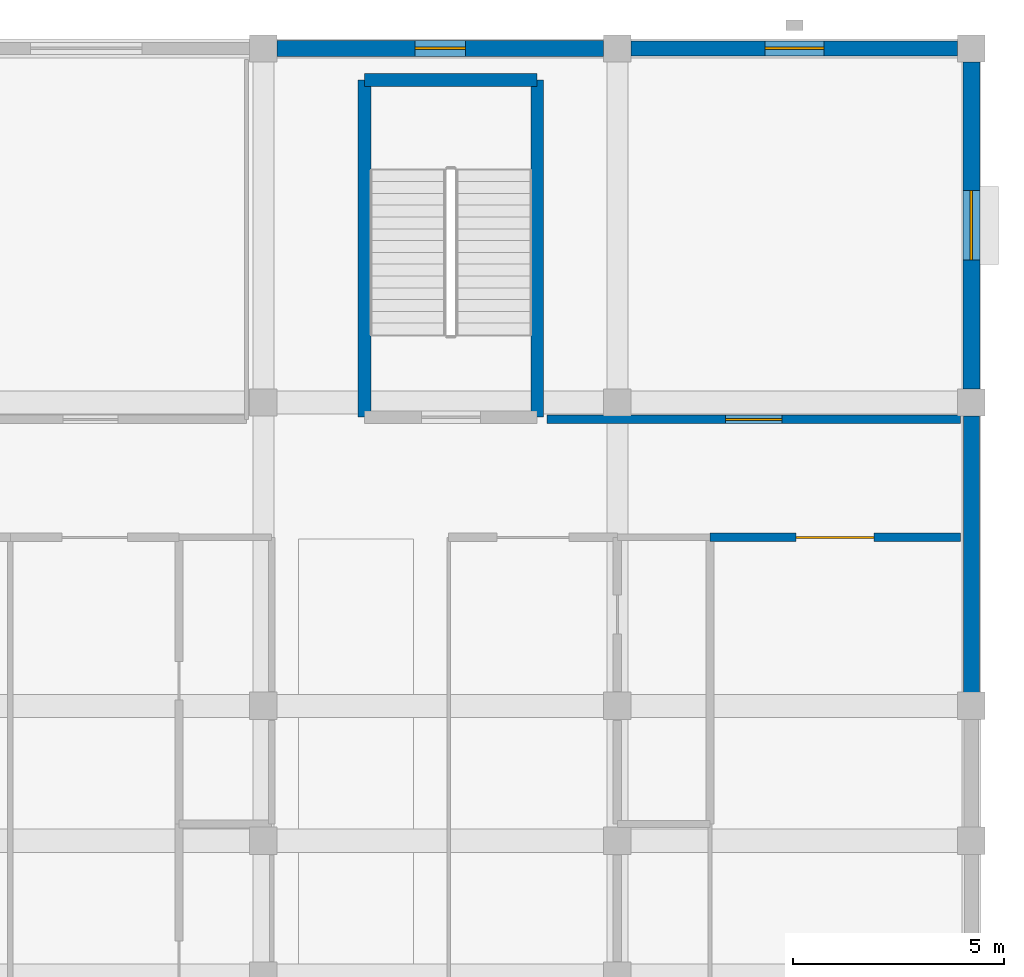
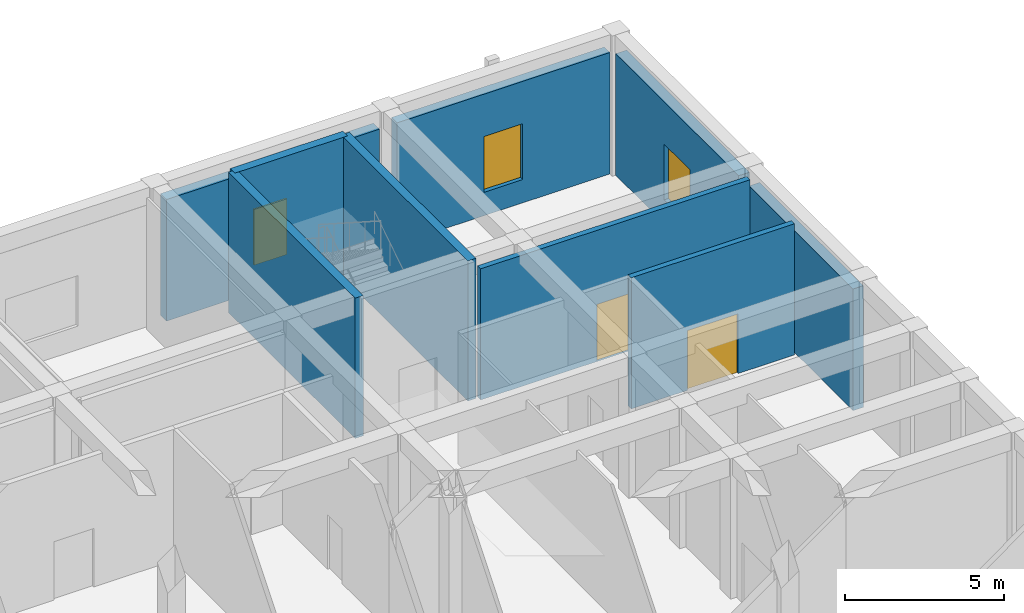
# One storey, part 96 of 157: 9 walls, 3 windows, 2 doors, 5 openings.
"""IFC4 building model written with IfcOpenShell, lengths in metres."""

from ifc_helpers import new_model, si_unit, direction, frame, frame_2d, origin, place, context, subcontext, project, spatial, rectangle, extrude, material, layer, layer_set, type_object, element, fill, save


model = new_model("IFC4")

# Units and contexts
model_context = context("Model", 3, precision=1e-05, world=origin(), true_north=direction((0.0, 1.0)))
body_context = subcontext(model_context, "Body", "Model", "MODEL_VIEW")
ifc_project = project(units=[si_unit("LENGTHUNIT", "METRE"), si_unit("AREAUNIT", "SQUARE_METRE"), si_unit("VOLUMEUNIT", "CUBIC_METRE"), si_unit("PLANEANGLEUNIT", "RADIAN"), si_unit("MASSUNIT", "GRAM", prefix="KILO")], contexts=[model_context])

# Site, building, storey
site_placement = place(None, origin())
site = spatial("IfcSite", under=ifc_project, at=site_placement, CompositionType="ELEMENT")
building_placement = place(site_placement, origin())
building = spatial("IfcBuilding", under=site, at=building_placement, Name="Varncliffe General Hospital", CompositionType="ELEMENT")
storey_placement = place(building_placement, frame((0.0, 0.0, 5.39990234375)))
storey = spatial("IfcBuildingStorey", under=building, at=storey_placement, Name="L01", CompositionType="ELEMENT", Elevation=5.39990234375)

# Wall, opening, window
ifc_material_1 = material(Name="Precast concrete C40/50 with insulated cream lime-cement stucco", Category="concrete")
ifc_layer_1 = layer(ifc_material_1, 0.3798828125)
ifc_layer_set_1 = layer_set([ifc_layer_1], Name="Precast concrete C40/50 with insulated cream lime-cement stucco")
wall_type_1 = type_object("IfcWallType", Name="Exterior Insulated Stucco Wall EW26 (380mm)", PredefinedType="SOLIDWALL", material=ifc_layer_set_1)
wall_1_placement = place(storey_placement, frame((159.923095703125, 124.800048828125, 0.0), z_axis=(0.0, 0.0, 1.0), x_axis=(1.0, 0.0, 0.0)))
wall_1 = element("IfcWall", 1, at=wall_1_placement, inside=storey, type_object=wall_type_1, Name="L01 Exterior Stucco Wall EW26-134", PredefinedType="SOLIDWALL", context=body_context, shape_type="SweptSolid", body=[
    extrude(rectangle(XDim=7.75390625, YDim=0.3798828125, at=frame_2d((3.876953125, 0.0))), origin(), (0.0, 0.0, 1.0), 4.68017578125),
])
opening_1_placement = place(wall_1_placement, frame((3.277099609375, 0.0, 0.89990234375)))
opening_1 = element("IfcOpeningElement", 2, at=opening_1_placement, cuts=wall_1, Name="Opening WN36", PredefinedType="OPENING", context=body_context, shape_type="SweptSolid", body=[
    extrude(rectangle(XDim=1.199951171875, YDim=2.14990234375, at=frame_2d((0.60009765625, 1.074951171875))), frame((0.0, 0.199951171875, 0.0), z_axis=(0.0, -1.0, 0.0), x_axis=(1.0, 0.0, 0.0)), (0.0, 0.0, 1.0), 0.39990234375),
])
ifc_material_2 = material(Name="Triple low-E argon insulated vision glazing", Category="glass")
window_type_1 = type_object("IfcWindowType", Name="Triple-Glazed Hospital Window WN36 (1200x2150)", PartitioningType="SINGLE_PANEL", PredefinedType="WINDOW", material=ifc_material_2)
window_1_placement = place(opening_1_placement, origin())
window_1 = element("IfcWindow", 3, at=window_1_placement, inside=storey, type_object=window_type_1, Name="L01 Hospital Window WN36-77", OverallHeight=2.14990234375, OverallWidth=1.199951171875, PartitioningType="SINGLE_PANEL", PredefinedType="WINDOW", context=body_context, shape_type="SweptSolid", body=[
    extrude(rectangle(XDim=1.199951171875, YDim=2.14990234375, at=frame_2d((0.60009765625, 1.074951171875))), frame((0.0, 0.030029296875, 0.0), z_axis=(0.0, -1.0, 0.0), x_axis=(1.0, 0.0, 0.0)), (0.0, 0.0, 1.0), 0.06005859375),
])
fill(opening_1, window_1)

# Wall
wall_2_placement = place(storey_placement, frame((176.39990234375, 116.076904296875, 0.0), z_axis=(0.0, 0.0, 1.0), x_axis=(0.0, -1.0, 0.0)))
element("IfcWall", 4, at=wall_2_placement, inside=storey, type_object=wall_type_1, Name="L01 Exterior Stucco Wall EW26-137", PredefinedType="SOLIDWALL", context=body_context, shape_type="SweptSolid", body=[
    extrude(rectangle(XDim=6.553955078125, YDim=0.3798828125, at=frame_2d((3.27685546875, 0.0))), origin(), (0.0, 0.0, 1.0), 4.68017578125),
])

# Wall, opening, window
ifc_layer_2 = layer(ifc_material_1, 0.35009765625)
ifc_layer_set_2 = layer_set([ifc_layer_2], Name="Precast concrete C40/50 with insulated cream lime-cement stucco")
wall_type_2 = type_object("IfcWallType", Name="Exterior Insulated Stucco Wall EW37 (350mm)", PredefinedType="SOLIDWALL", material=ifc_layer_set_2)
wall_3_placement = place(storey_placement, frame((168.322998046875, 124.800048828125, 0.0), z_axis=(0.0, 0.0, 1.0), x_axis=(1.0, 0.0, 0.0)))
wall_3 = element("IfcWall", 5, at=wall_3_placement, inside=storey, type_object=wall_type_2, Name="L01 Exterior Stucco Wall EW37-135", PredefinedType="SOLIDWALL", context=body_context, shape_type="SweptSolid", body=[
    extrude(rectangle(XDim=7.75390625, YDim=0.35009765625, at=frame_2d((3.876953125, 0.0))), origin(), (0.0, 0.0, 1.0), 4.68017578125),
])
opening_2_placement = place(wall_3_placement, frame((3.177001953125, 0.0, 0.89990234375)))
opening_2 = element("IfcOpeningElement", 6, at=opening_2_placement, cuts=wall_3, Name="Opening WN11", PredefinedType="OPENING", context=body_context, shape_type="SweptSolid", body=[
    extrude(rectangle(XDim=1.39990234375, YDim=2.14990234375, at=frame_2d((0.699951171875, 1.074951171875))), frame((0.0, 0.18505859375, 0.0), z_axis=(0.0, -1.0, 0.0), x_axis=(1.0, 0.0, 0.0)), (0.0, 0.0, 1.0), 0.3701171875),
])
window_type_2 = type_object("IfcWindowType", Name="Triple-Glazed Hospital Window WN11 (1400x2150)", PartitioningType="SINGLE_PANEL", PredefinedType="WINDOW", material=ifc_material_2)
window_2_placement = place(opening_2_placement, origin())
window_2 = element("IfcWindow", 7, at=window_2_placement, inside=storey, type_object=window_type_2, Name="L01 Hospital Window WN11-78", OverallHeight=2.14990234375, OverallWidth=1.39990234375, PartitioningType="SINGLE_PANEL", PredefinedType="WINDOW", context=body_context, shape_type="SweptSolid", body=[
    extrude(rectangle(XDim=1.39990234375, YDim=2.14990234375, at=frame_2d((0.699951171875, 1.074951171875))), frame((0.0, 0.030029296875, 0.0), z_axis=(0.0, -1.0, 0.0), x_axis=(1.0, 0.0, 0.0)), (0.0, 0.0, 1.0), 0.06005859375),
])
fill(opening_2, window_2)

ifc_layer_3 = layer(ifc_material_1, 0.39990234375)
ifc_layer_set_3 = layer_set([ifc_layer_3], Name="Precast concrete C40/50 with insulated cream lime-cement stucco")
wall_type_3 = type_object("IfcWallType", Name="Exterior Insulated Stucco Wall EW47 (400mm)", PredefinedType="SOLIDWALL", material=ifc_layer_set_3)
wall_4_placement = place(storey_placement, frame((176.39990234375, 124.47705078125, 0.0), z_axis=(0.0, 0.0, 1.0), x_axis=(0.0, -1.0, 0.0)))
wall_4 = element("IfcWall", 8, at=wall_4_placement, inside=storey, type_object=wall_type_3, Name="L01 Exterior Stucco Wall EW47-136", PredefinedType="SOLIDWALL", context=body_context, shape_type="SweptSolid", body=[
    extrude(rectangle(XDim=7.754150390625, YDim=0.39990234375, at=frame_2d((3.876953125, 0.0))), origin(), (0.0, 0.0, 1.0), 4.68017578125),
])
opening_3_placement = place(wall_4_placement, frame((3.052001953125, 0.0, 0.89990234375)))
opening_3 = element("IfcOpeningElement", 9, at=opening_3_placement, cuts=wall_4, Name="Opening WN42", PredefinedType="OPENING", context=body_context, shape_type="SweptSolid", body=[
    extrude(rectangle(XDim=1.64990234375, YDim=2.14990234375, at=frame_2d((0.824951171875, 1.074951171875))), frame((0.0, 0.2099609375, 0.0), z_axis=(0.0, -1.0, 0.0), x_axis=(1.0, 0.0, 0.0)), (0.0, 0.0, 1.0), 0.419921875),
])
window_type_3 = type_object("IfcWindowType", Name="Triple-Glazed Hospital Window WN42 (1650x2150)", PartitioningType="DOUBLE_PANEL_VERTICAL", PredefinedType="WINDOW", material=ifc_material_2)
window_3_placement = place(opening_3_placement, origin())
window_3 = element("IfcWindow", 10, at=window_3_placement, inside=storey, type_object=window_type_3, Name="L01 Hospital Window WN42-79", OverallHeight=2.14990234375, OverallWidth=1.64990234375, PartitioningType="DOUBLE_PANEL_VERTICAL", PredefinedType="WINDOW", context=body_context, shape_type="SweptSolid", body=[
    extrude(rectangle(XDim=1.64990234375, YDim=2.14990234375, at=frame_2d((0.824951171875, 1.074951171875))), frame((0.0, 0.030029296875, 0.0), z_axis=(0.0, -1.0, 0.0), x_axis=(1.0, 0.0, 0.0)), (0.0, 0.0, 1.0), 0.06005859375),
])
fill(opening_3, window_3)

# Wall, opening, door
ifc_material_3 = material(Name="Fire-rated gypsum and mineral-wool partition assembly", Category="gypsum")
ifc_layer_4 = layer(ifc_material_3, 0.199951171875)
ifc_layer_set_4 = layer_set([ifc_layer_4], Name="Fire-rated gypsum and mineral-wool partition assembly")
wall_type_4 = type_object("IfcWallType", Name="Interior Partitioning PW63 (200mm)", PredefinedType="PARTITIONING", material=ifc_layer_set_4)
wall_5_placement = place(storey_placement, frame((170.199951171875, 113.199951171875, 0.0), z_axis=(0.0, 0.0, 1.0), x_axis=(1.0, 0.0, 0.0)))
wall_5 = element("IfcWall", 11, at=wall_5_placement, inside=storey, type_object=wall_type_4, Name="L01 Interior Partition Wall PW63-640", PredefinedType="PARTITIONING", context=body_context, shape_type="SweptSolid", body=[
    extrude(rectangle(XDim=5.93994140625, YDim=0.199951171875, at=frame_2d((2.969970703125, 0.0))), origin(), (0.0, 0.0, 1.0), 5.050048828125),
])
opening_4_placement = place(wall_5_placement, frame((2.044921875, 0.0, 0.0)))
opening_4 = element("IfcOpeningElement", 12, at=opening_4_placement, cuts=wall_5, Name="Opening DC38", PredefinedType="OPENING", context=body_context, shape_type="SweptSolid", body=[
    extrude(rectangle(XDim=1.85009765625, YDim=2.300048828125, at=frame_2d((0.925048828125, 1.14990234375))), frame((0.0, 0.10986328125, 0.0), z_axis=(0.0, -1.0, 0.0), x_axis=(1.0, 0.0, 0.0)), (0.0, 0.0, 1.0), 0.219970703125),
])
ifc_material_4 = material(Name="Fire-rated hospital steel-frame vision-panel door", Category="steel")
door_type_1 = type_object("IfcDoorType", Name="Interior Hospital Door DC38 (1850x2300)", OperationType="NOTDEFINED", PredefinedType="DOOR", material=ifc_material_4)
door_1_placement = place(opening_4_placement, frame((1.85009765625, 0.0, 0.0), z_axis=(0.0, 0.0, 1.0), x_axis=(-1.0, 0.0, 0.0)))
door_1 = element("IfcDoor", 13, at=door_1_placement, inside=storey, type_object=door_type_1, Name="L01 Ward Nurse Station and Medication Room 167 Door", OperationType="SINGLE_SWING_RIGHT", OverallHeight=2.300048828125, OverallWidth=1.85009765625, PredefinedType="DOOR", context=body_context, shape_type="SweptSolid", body=[
    extrude(rectangle(XDim=1.85009765625, YDim=2.300048828125, at=frame_2d((0.925048828125, 1.14990234375))), frame((0.0, 0.02490234375, 0.0), z_axis=(0.0, -1.0, 0.0), x_axis=(1.0, 0.0, 0.0)), (0.0, 0.0, 1.0), 0.050048828125),
])
fill(opening_4, door_1)

wall_6_placement = place(storey_placement, frame((166.334716796875, 116.0, 0.0), z_axis=(0.0, 0.0, 1.0), x_axis=(1.0, 0.0, 0.0)))
wall_6 = element("IfcWall", 14, at=wall_6_placement, inside=storey, type_object=wall_type_4, Name="L01 Interior Partition Wall PW63-653", PredefinedType="PARTITIONING", context=body_context, shape_type="SweptSolid", body=[
    extrude(rectangle(XDim=9.80517578125, YDim=0.199951171875, at=frame_2d((4.902587890625, 0.0))), origin(), (0.0, 0.0, 1.0), 5.050048828125),
])
opening_5_placement = place(wall_6_placement, frame((4.227783203125, 0.0, 0.0)))
opening_5 = element("IfcOpeningElement", 15, at=opening_5_placement, cuts=wall_6, Name="Opening DC85", PredefinedType="OPENING", context=body_context, shape_type="SweptSolid", body=[
    extrude(rectangle(XDim=1.35009765625, YDim=2.199951171875, at=frame_2d((0.675048828125, 1.10009765625))), frame((0.0, 0.10986328125, 0.0), z_axis=(0.0, -1.0, 0.0), x_axis=(1.0, 0.0, 0.0)), (0.0, 0.0, 1.0), 0.219970703125),
])
door_type_2 = type_object("IfcDoorType", Name="Interior Hospital Door DC85 (1350x2200)", OperationType="NOTDEFINED", PredefinedType="DOOR", material=ifc_material_4)
door_2_placement = place(opening_5_placement, origin())
door_2 = element("IfcDoor", 16, at=door_2_placement, inside=storey, type_object=door_type_2, Name="L01 Ward Nurse Station and Medication Room 179 Door", OperationType="SINGLE_SWING_RIGHT", OverallHeight=2.199951171875, OverallWidth=1.35009765625, PredefinedType="DOOR", context=body_context, shape_type="SweptSolid", body=[
    extrude(rectangle(XDim=1.35009765625, YDim=2.199951171875, at=frame_2d((0.675048828125, 1.10009765625))), frame((0.0, 0.02490234375, 0.0), z_axis=(0.0, -1.0, 0.0), x_axis=(1.0, 0.0, 0.0)), (0.0, 0.0, 1.0), 0.050048828125),
])
fill(opening_5, door_2)

# Walls
ifc_material_5 = material(Name="Concrete C40/50 (CSA A23.1 40 MPa)", Category="concrete")
ifc_layer_5 = layer(ifc_material_5, 0.300048828125)
ifc_layer_set_5 = layer_set([ifc_layer_5], Name="Concrete C40/50 (CSA A23.1 40 MPa)")
wall_type_5 = type_object("IfcWallType", Name="Reinforced Concrete Core Shear Wall CW12 (300mm)", PredefinedType="SHEAR", material=ifc_layer_set_5)
wall_7_placement = place(storey_placement, frame((166.10009765625, 116.050048828125, 0.0), z_axis=(0.0, 0.0, 1.0), x_axis=(0.0, 1.0, 0.0)))
element("IfcWall", 17, at=wall_7_placement, inside=storey, type_object=wall_type_5, Name="L01 ST04 Core Shear Wall L", PredefinedType="SHEAR", context=body_context, shape_type="SweptSolid", body=[
    extrude(rectangle(XDim=8.0, YDim=0.300048828125, at=frame_2d((4.0, 0.0))), origin(), (0.0, 0.0, 1.0), 5.400146484375),
])
wall_8_placement = place(storey_placement, frame((166.10009765625, 124.050048828125, 0.0), z_axis=(0.0, 0.0, 1.0), x_axis=(-1.0, 0.0, 0.0)))
element("IfcWall", 18, at=wall_8_placement, inside=storey, type_object=wall_type_5, Name="L01 ST04 Core Shear Wall F", PredefinedType="SHEAR", context=body_context, shape_type="SweptSolid", body=[
    extrude(rectangle(XDim=4.10009765625, YDim=0.300048828125, at=frame_2d((2.050048828125, 0.0))), origin(), (0.0, 0.0, 1.0), 5.400146484375),
])
wall_9_placement = place(storey_placement, frame((162.0, 124.050048828125, 0.0), z_axis=(0.0, 0.0, 1.0), x_axis=(0.0, -1.0, 0.0)))
element("IfcWall", 19, at=wall_9_placement, inside=storey, type_object=wall_type_5, Name="L01 ST04 Core Shear Wall R", PredefinedType="SHEAR", context=body_context, shape_type="SweptSolid", body=[
    extrude(rectangle(XDim=8.0, YDim=0.300048828125, at=frame_2d((4.0, 0.0))), origin(), (0.0, 0.0, 1.0), 5.400146484375),
])

save(model, "model.ifc")
